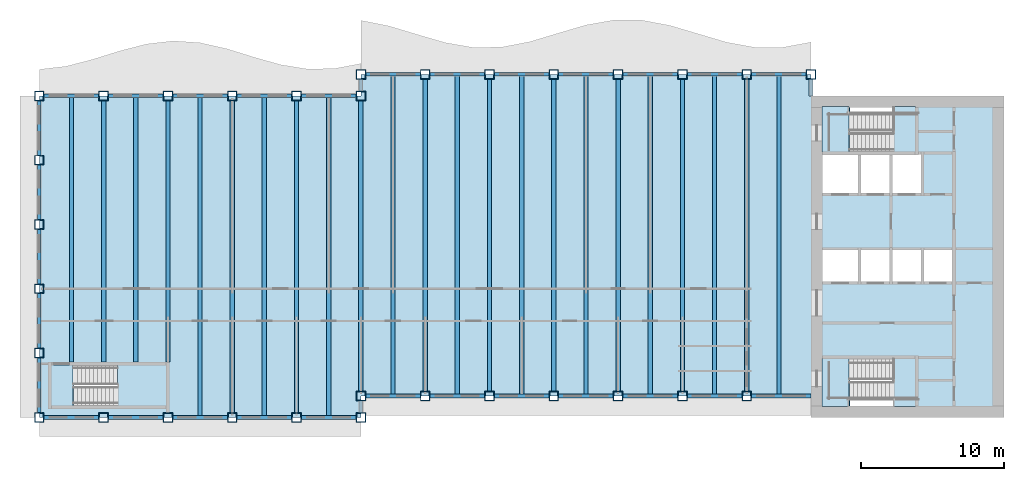
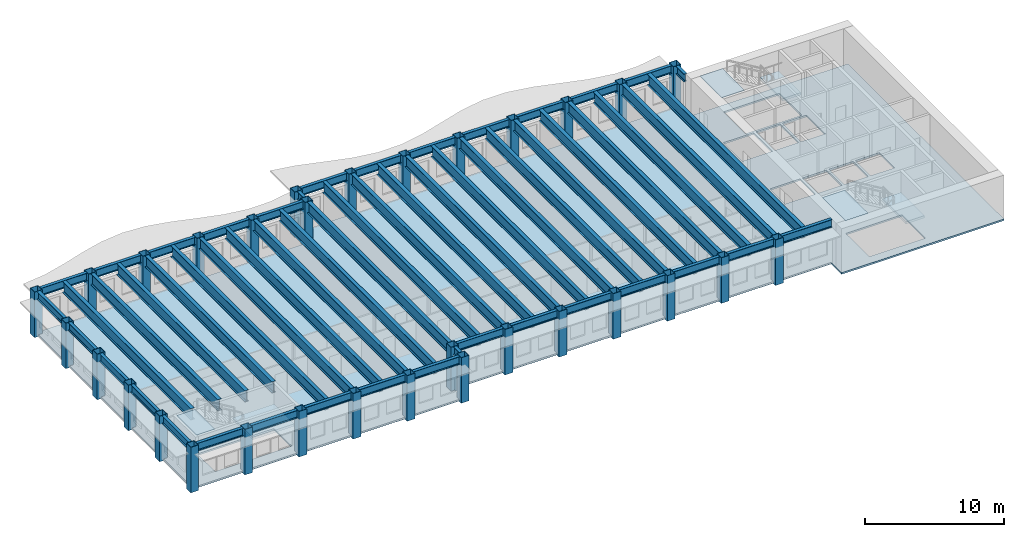
# One storey, part 1 of 12: 55 beams, 31 columns, 7 slabs, 3 elements without a shape of their own.
"""IFC4 building model written with IfcOpenShell, lengths in metres."""

from ifc_helpers import new_model, si_unit, direction, frame, origin, origin_2d, place, context, subcontext, project, spatial, polyline, hollow_rectangle, i_section, outline, extrude, material, layer, layer_set, material_profile, profile_set, type_object, element, aggregate, save


model = new_model("IFC4")

# Units and contexts
model_context = context("Model", 3, precision=1e-05, world=origin(), true_north=direction((0.0, 1.0)))
body_context = subcontext(model_context, "Body", "Model", "MODEL_VIEW")
ifc_project = project(units=[si_unit("LENGTHUNIT", "METRE"), si_unit("AREAUNIT", "SQUARE_METRE"), si_unit("VOLUMEUNIT", "CUBIC_METRE"), si_unit("PLANEANGLEUNIT", "RADIAN"), si_unit("MASSUNIT", "GRAM", prefix="KILO")], contexts=[model_context])

# Site, building, storey
site_placement = place(None, origin())
site = spatial("IfcSite", under=ifc_project, at=site_placement, CompositionType="ELEMENT")
building_placement = place(site_placement, origin())
building = spatial("IfcBuilding", under=site, at=building_placement, Name="Sennacour Bend Tower", CompositionType="ELEMENT")
storey_placement = place(building_placement, frame((0.0, 0.0, 273.0)))
storey = spatial("IfcBuildingStorey", under=building, at=storey_placement, Name="L63", CompositionType="ELEMENT", Elevation=273.0)

# Columns
ifc_material_1 = material(Name="Steel ASTM A572 Grade 50", Category="steel")
ifc_material_profile_1 = material_profile(ifc_material_1, hollow_rectangle(XDim=0.64990234375, YDim=0.64990234375, WallThickness=0.031982421875, at=origin_2d()), Name="Steel ASTM A572 Grade 50", Category="steel")
ifc_profile_set_1 = profile_set([ifc_material_profile_1], Name="Steel ASTM A572 Grade 50")
column_type = type_object("IfcColumnType", Name="Box column 650", PredefinedType="COLUMN", material=ifc_profile_set_1)
for number, where, z_axis, x_axis, name in (
    (1, (0.0, 0.0, -0.14990234375), (0.0, 0.0, 1.0), (1.0, 0.0, 0.0), "Perimeter column C5 L63-001"),
    (2, (0.0, 4.5, -0.14990234375), (0.0, 0.0, 1.0), (1.0, 0.0, 0.0), "Perimeter column C5 L63-002"),
    (3, (0.0, 9.0, -0.14990234375), (0.0, 0.0, 1.0), (1.0, 0.0, 0.0), "Perimeter column C5 L63-003"),
    (4, (0.0, 13.5, -0.14990234375), (0.0, 0.0, 1.0), (1.0, 0.0, 0.0), "Perimeter column C5 L63-004"),
    (5, (0.0, 18.0, -0.14990234375), (0.0, 0.0, 1.0), (1.0, 0.0, 0.0), "Perimeter column C5 L63-005"),
    (6, (0.0, 22.5, -0.14990234375), (0.0, 0.0, 1.0), (1.0, 0.0, 0.0), "Perimeter column C5 L63-006"),
    (7, (4.5, 0.0, -0.14990234375), (0.0, 0.0, 1.0), (1.0, 0.0, 0.0), "Perimeter column C5 L63-007"),
    (8, (4.5, 22.5, -0.14990234375), (0.0, 0.0, 1.0), (1.0, 0.0, 0.0), "Perimeter column C5 L63-008"),
    (9, (9.0, 0.0, -0.14990234375), (0.0, 0.0, 1.0), (1.0, 0.0, 0.0), "Perimeter column C5 L63-009"),
    (10, (9.0, 22.5, -0.14990234375), (0.0, 0.0, 1.0), (1.0, 0.0, 0.0), "Perimeter column C5 L63-010"),
    (11, (13.5, 0.0, -0.14990234375), (0.0, 0.0, 1.0), (1.0, 0.0, 0.0), "Perimeter column C5 L63-011"),
    (12, (13.5, 22.5, -0.14990234375), (0.0, 0.0, 1.0), (1.0, 0.0, 0.0), "Perimeter column C5 L63-012"),
    (13, (18.0, 0.0, -0.14990234375), (0.0, 0.0, 1.0), (1.0, 0.0, 0.0), "Perimeter column C5 L63-013"),
    (14, (18.0, 22.5, -0.14990234375), (0.0, 0.0, 1.0), (1.0, 0.0, 0.0), "Perimeter column C5 L63-014"),
    (15, (22.5, 0.0, -0.14990234375), (0.0, 0.0, 1.0), (1.0, 0.0, 0.0), "Perimeter column C5 L63-015"),
    (16, (22.5, 1.5, -0.14990234375), (0.0, 0.0, 1.0), (1.0, 0.0, 0.0), "Perimeter column C5 L63-016"),
    (17, (22.5, 22.5, -0.14990234375), (0.0, 0.0, 1.0), (1.0, 0.0, 0.0), "Perimeter column C5 L63-017"),
    (18, (22.5, 24.0, -0.14990234375), (0.0, 0.0, 1.0), (1.0, 0.0, 0.0), "Perimeter column C5 L63-018"),
    (19, (27.0, 1.5, -0.14990234375), (0.0, 0.0, 1.0), (1.0, 0.0, 0.0), "Perimeter column C5 L63-019"),
    (20, (27.0, 24.0, -0.14990234375), (0.0, 0.0, 1.0), (1.0, 0.0, 0.0), "Perimeter column C5 L63-020"),
    (21, (31.5, 1.5, -0.14990234375), (0.0, 0.0, 1.0), (1.0, 0.0, 0.0), "Perimeter column C5 L63-021"),
    (22, (31.5, 24.0, -0.14990234375), (0.0, 0.0, 1.0), (1.0, 0.0, 0.0), "Perimeter column C5 L63-022"),
    (23, (36.0, 1.5, -0.14990234375), (0.0, 0.0, 1.0), (1.0, 0.0, 0.0), "Perimeter column C5 L63-023"),
    (24, (36.0, 24.0, -0.14990234375), (0.0, 0.0, 1.0), (1.0, 0.0, 0.0), "Perimeter column C5 L63-024"),
    (25, (40.5, 1.5, -0.14990234375), (0.0, 0.0, 1.0), (1.0, 0.0, 0.0), "Perimeter column C5 L63-025"),
    (26, (40.5, 24.0, -0.14990234375), (0.0, 0.0, 1.0), (1.0, 0.0, 0.0), "Perimeter column C5 L63-026"),
    (27, (45.0, 1.5, -0.14990234375), (0.0, 0.0, 1.0), (1.0, 0.0, 0.0), "Perimeter column C5 L63-027"),
    (28, (45.0, 24.0, -0.14990234375), (0.0, 0.0, 1.0), (1.0, 0.0, 0.0), "Perimeter column C5 L63-028"),
    (29, (49.5, 1.5, -0.14990234375), (0.0, 0.0, 1.0), (1.0, 0.0, 0.0), "Perimeter column C5 L63-029"),
    (30, (49.5, 24.0, -0.14990234375), (0.0, 0.0, 1.0), (1.0, 0.0, 0.0), "Perimeter column C5 L63-030"),
    (31, (54.0, 24.0, -0.14990234375), (0.0, 0.0, 1.0), (1.0, 0.0, 0.0), "Perimeter column C5 L63-031"),
):
    element("IfcColumn", number, at=place(storey_placement, frame(where, z_axis=z_axis, x_axis=x_axis)), inside=storey, type_object=column_type, Name=name, PredefinedType="COLUMN", context=body_context, shape_type="SweptSolid", body=[
        extrude(hollow_rectangle(XDim=0.64990234375, YDim=0.64990234375, WallThickness=0.031982421875, at=origin_2d()), origin(), (0.0, 0.0, 1.0), 4.0),
    ])

# Beams
ifc_material_2 = material(Name="Steel ASTM A992 Grade 50", Category="steel")
ifc_material_profile_2 = material_profile(ifc_material_2, i_section(OverallWidth=0.300048828125, OverallDepth=0.97998046875, WebThickness=0.0166015625, FlangeThickness=0.026123046875, FilletRadius=0.02978515625, at=origin_2d()), Name="Steel ASTM A992 Grade 50", Category="steel")
ifc_profile_set_2 = profile_set([ifc_material_profile_2], Name="Steel ASTM A992 Grade 50")
beam_type_1 = type_object("IfcBeamType", Name="Floor beam W1000X249", PredefinedType="BEAM", material=ifc_profile_set_2)
beam_1_placement = place(storey_placement, frame((2.25, 3.875, 3.360107421875), z_axis=(0.0, 1.0, 0.0), x_axis=(-1.0, 0.0, 0.0)))
element("IfcBeam", 32, at=beam_1_placement, inside=storey, type_object=beam_type_1, Name="Floor beam FBM2 L64-001", PredefinedType="BEAM", context=body_context, shape_type="SweptSolid", body=[
    extrude(i_section(OverallWidth=0.300048828125, OverallDepth=0.97998046875, WebThickness=0.0166015625, FlangeThickness=0.026123046875, FilletRadius=0.02978515625, at=origin_2d()), origin(), (0.0, 0.0, 1.0), 18.498046875),
])
beam_2_placement = place(storey_placement, frame((4.5, 3.875, 3.360107421875), z_axis=(0.0, 1.0, 0.0), x_axis=(-1.0, 0.0, 0.0)))
element("IfcBeam", 33, at=beam_2_placement, inside=storey, type_object=beam_type_1, Name="Floor beam FBM2 L64-002", PredefinedType="BEAM", context=body_context, shape_type="SweptSolid", body=[
    extrude(i_section(OverallWidth=0.300048828125, OverallDepth=0.97998046875, WebThickness=0.0166015625, FlangeThickness=0.026123046875, FilletRadius=0.02978515625, at=origin_2d()), origin(), (0.0, 0.0, 1.0), 18.300048828125),
])
beam_3_placement = place(storey_placement, frame((6.75, 3.875, 3.360107421875), z_axis=(0.0, 1.0, 0.0), x_axis=(-1.0, 0.0, 0.0)))
element("IfcBeam", 34, at=beam_3_placement, inside=storey, type_object=beam_type_1, Name="Floor beam FBM2 L64-003", PredefinedType="BEAM", context=body_context, shape_type="SweptSolid", body=[
    extrude(i_section(OverallWidth=0.300048828125, OverallDepth=0.97998046875, WebThickness=0.0166015625, FlangeThickness=0.026123046875, FilletRadius=0.02978515625, at=origin_2d()), origin(), (0.0, 0.0, 1.0), 18.498046875),
])
beam_4_placement = place(storey_placement, frame((9.0, 3.875, 3.360107421875), z_axis=(0.0, 1.0, 0.0), x_axis=(-1.0, 0.0, 0.0)))
element("IfcBeam", 35, at=beam_4_placement, inside=storey, type_object=beam_type_1, Name="Floor beam FBM2 L64-004", PredefinedType="BEAM", context=body_context, shape_type="SweptSolid", body=[
    extrude(i_section(OverallWidth=0.300048828125, OverallDepth=0.97998046875, WebThickness=0.0166015625, FlangeThickness=0.026123046875, FilletRadius=0.02978515625, at=origin_2d()), origin(), (0.0, 0.0, 1.0), 18.300048828125),
])
beam_5_placement = place(storey_placement, frame((11.25, 0.126953125, 3.360107421875), z_axis=(0.0, 1.0, 0.0), x_axis=(-1.0, 0.0, 0.0)))
element("IfcBeam", 36, at=beam_5_placement, inside=storey, type_object=beam_type_1, Name="Floor beam FBM2 L64-005", PredefinedType="BEAM", context=body_context, shape_type="SweptSolid", body=[
    extrude(i_section(OverallWidth=0.300048828125, OverallDepth=0.97998046875, WebThickness=0.0166015625, FlangeThickness=0.026123046875, FilletRadius=0.02978515625, at=origin_2d()), origin(), (0.0, 0.0, 1.0), 22.24609375),
])
beam_6_placement = place(storey_placement, frame((13.5, 0.324951171875, 3.360107421875), z_axis=(0.0, 1.0, 0.0), x_axis=(-1.0, 0.0, 0.0)))
element("IfcBeam", 37, at=beam_6_placement, inside=storey, type_object=beam_type_1, Name="Floor beam FBM2 L64-006", PredefinedType="BEAM", context=body_context, shape_type="SweptSolid", body=[
    extrude(i_section(OverallWidth=0.300048828125, OverallDepth=0.97998046875, WebThickness=0.0166015625, FlangeThickness=0.026123046875, FilletRadius=0.02978515625, at=origin_2d()), origin(), (0.0, 0.0, 1.0), 21.85009765625),
])
beam_7_placement = place(storey_placement, frame((15.75, 0.126953125, 3.360107421875), z_axis=(0.0, 1.0, 0.0), x_axis=(-1.0, 0.0, 0.0)))
element("IfcBeam", 38, at=beam_7_placement, inside=storey, type_object=beam_type_1, Name="Floor beam FBM2 L64-007", PredefinedType="BEAM", context=body_context, shape_type="SweptSolid", body=[
    extrude(i_section(OverallWidth=0.300048828125, OverallDepth=0.97998046875, WebThickness=0.0166015625, FlangeThickness=0.026123046875, FilletRadius=0.02978515625, at=origin_2d()), origin(), (0.0, 0.0, 1.0), 22.24609375),
])
beam_8_placement = place(storey_placement, frame((18.0, 0.324951171875, 3.360107421875), z_axis=(0.0, 1.0, 0.0), x_axis=(-1.0, 0.0, 0.0)))
element("IfcBeam", 39, at=beam_8_placement, inside=storey, type_object=beam_type_1, Name="Floor beam FBM2 L64-008", PredefinedType="BEAM", context=body_context, shape_type="SweptSolid", body=[
    extrude(i_section(OverallWidth=0.300048828125, OverallDepth=0.97998046875, WebThickness=0.0166015625, FlangeThickness=0.026123046875, FilletRadius=0.02978515625, at=origin_2d()), origin(), (0.0, 0.0, 1.0), 21.85009765625),
])
beam_9_placement = place(storey_placement, frame((20.25, 0.126953125, 3.360107421875), z_axis=(0.0, 1.0, 0.0), x_axis=(-1.0, 0.0, 0.0)))
element("IfcBeam", 40, at=beam_9_placement, inside=storey, type_object=beam_type_1, Name="Floor beam FBM2 L64-009", PredefinedType="BEAM", context=body_context, shape_type="SweptSolid", body=[
    extrude(i_section(OverallWidth=0.300048828125, OverallDepth=0.97998046875, WebThickness=0.0166015625, FlangeThickness=0.026123046875, FilletRadius=0.02978515625, at=origin_2d()), origin(), (0.0, 0.0, 1.0), 22.24609375),
])
beam_10_placement = place(storey_placement, frame((22.5, 1.824951171875, 3.360107421875), z_axis=(0.0, 1.0, 0.0), x_axis=(-1.0, 0.0, 0.0)))
element("IfcBeam", 41, at=beam_10_placement, inside=storey, type_object=beam_type_1, Name="Floor beam FBM2 L64-010", PredefinedType="BEAM", context=body_context, shape_type="SweptSolid", body=[
    extrude(i_section(OverallWidth=0.300048828125, OverallDepth=0.97998046875, WebThickness=0.0166015625, FlangeThickness=0.026123046875, FilletRadius=0.02978515625, at=origin_2d()), origin(), (0.0, 0.0, 1.0), 20.35009765625),
])
beam_11_placement = place(storey_placement, frame((24.75, 1.626953125, 3.360107421875), z_axis=(0.0, 1.0, 0.0), x_axis=(-1.0, 0.0, 0.0)))
element("IfcBeam", 42, at=beam_11_placement, inside=storey, type_object=beam_type_1, Name="Floor beam FBM2 L64-011", PredefinedType="BEAM", context=body_context, shape_type="SweptSolid", body=[
    extrude(i_section(OverallWidth=0.300048828125, OverallDepth=0.97998046875, WebThickness=0.0166015625, FlangeThickness=0.026123046875, FilletRadius=0.02978515625, at=origin_2d()), origin(), (0.0, 0.0, 1.0), 22.24609375),
])
beam_12_placement = place(storey_placement, frame((27.0, 1.824951171875, 3.360107421875), z_axis=(0.0, 1.0, 0.0), x_axis=(-1.0, 0.0, 0.0)))
element("IfcBeam", 43, at=beam_12_placement, inside=storey, type_object=beam_type_1, Name="Floor beam FBM2 L64-012", PredefinedType="BEAM", context=body_context, shape_type="SweptSolid", body=[
    extrude(i_section(OverallWidth=0.300048828125, OverallDepth=0.97998046875, WebThickness=0.0166015625, FlangeThickness=0.026123046875, FilletRadius=0.02978515625, at=origin_2d()), origin(), (0.0, 0.0, 1.0), 21.85009765625),
])
beam_13_placement = place(storey_placement, frame((29.25, 1.626953125, 3.360107421875), z_axis=(0.0, 1.0, 0.0), x_axis=(-1.0, 0.0, 0.0)))
element("IfcBeam", 44, at=beam_13_placement, inside=storey, type_object=beam_type_1, Name="Floor beam FBM2 L64-013", PredefinedType="BEAM", context=body_context, shape_type="SweptSolid", body=[
    extrude(i_section(OverallWidth=0.300048828125, OverallDepth=0.97998046875, WebThickness=0.0166015625, FlangeThickness=0.026123046875, FilletRadius=0.02978515625, at=origin_2d()), origin(), (0.0, 0.0, 1.0), 22.24609375),
])
beam_14_placement = place(storey_placement, frame((31.5, 1.824951171875, 3.360107421875), z_axis=(0.0, 1.0, 0.0), x_axis=(-1.0, 0.0, 0.0)))
element("IfcBeam", 45, at=beam_14_placement, inside=storey, type_object=beam_type_1, Name="Floor beam FBM2 L64-014", PredefinedType="BEAM", context=body_context, shape_type="SweptSolid", body=[
    extrude(i_section(OverallWidth=0.300048828125, OverallDepth=0.97998046875, WebThickness=0.0166015625, FlangeThickness=0.026123046875, FilletRadius=0.02978515625, at=origin_2d()), origin(), (0.0, 0.0, 1.0), 21.85009765625),
])
beam_15_placement = place(storey_placement, frame((33.75, 1.626953125, 3.360107421875), z_axis=(0.0, 1.0, 0.0), x_axis=(-1.0, 0.0, 0.0)))
element("IfcBeam", 46, at=beam_15_placement, inside=storey, type_object=beam_type_1, Name="Floor beam FBM2 L64-015", PredefinedType="BEAM", context=body_context, shape_type="SweptSolid", body=[
    extrude(i_section(OverallWidth=0.300048828125, OverallDepth=0.97998046875, WebThickness=0.0166015625, FlangeThickness=0.026123046875, FilletRadius=0.02978515625, at=origin_2d()), origin(), (0.0, 0.0, 1.0), 22.24609375),
])
beam_16_placement = place(storey_placement, frame((36.0, 1.824951171875, 3.360107421875), z_axis=(0.0, 1.0, 0.0), x_axis=(-1.0, 0.0, 0.0)))
element("IfcBeam", 47, at=beam_16_placement, inside=storey, type_object=beam_type_1, Name="Floor beam FBM2 L64-016", PredefinedType="BEAM", context=body_context, shape_type="SweptSolid", body=[
    extrude(i_section(OverallWidth=0.300048828125, OverallDepth=0.97998046875, WebThickness=0.0166015625, FlangeThickness=0.026123046875, FilletRadius=0.02978515625, at=origin_2d()), origin(), (0.0, 0.0, 1.0), 21.85009765625),
])
beam_17_placement = place(storey_placement, frame((38.25, 1.626953125, 3.360107421875), z_axis=(0.0, 1.0, 0.0), x_axis=(-1.0, 0.0, 0.0)))
element("IfcBeam", 48, at=beam_17_placement, inside=storey, type_object=beam_type_1, Name="Floor beam FBM2 L64-017", PredefinedType="BEAM", context=body_context, shape_type="SweptSolid", body=[
    extrude(i_section(OverallWidth=0.300048828125, OverallDepth=0.97998046875, WebThickness=0.0166015625, FlangeThickness=0.026123046875, FilletRadius=0.02978515625, at=origin_2d()), origin(), (0.0, 0.0, 1.0), 22.24609375),
])
beam_18_placement = place(storey_placement, frame((40.5, 1.824951171875, 3.360107421875), z_axis=(0.0, 1.0, 0.0), x_axis=(-1.0, 0.0, 0.0)))
element("IfcBeam", 49, at=beam_18_placement, inside=storey, type_object=beam_type_1, Name="Floor beam FBM2 L64-018", PredefinedType="BEAM", context=body_context, shape_type="SweptSolid", body=[
    extrude(i_section(OverallWidth=0.300048828125, OverallDepth=0.97998046875, WebThickness=0.0166015625, FlangeThickness=0.026123046875, FilletRadius=0.02978515625, at=origin_2d()), origin(), (0.0, 0.0, 1.0), 21.85009765625),
])
beam_19_placement = place(storey_placement, frame((42.75, 1.626953125, 3.360107421875), z_axis=(0.0, 1.0, 0.0), x_axis=(-1.0, 0.0, 0.0)))
element("IfcBeam", 50, at=beam_19_placement, inside=storey, type_object=beam_type_1, Name="Floor beam FBM2 L64-019", PredefinedType="BEAM", context=body_context, shape_type="SweptSolid", body=[
    extrude(i_section(OverallWidth=0.300048828125, OverallDepth=0.97998046875, WebThickness=0.0166015625, FlangeThickness=0.026123046875, FilletRadius=0.02978515625, at=origin_2d()), origin(), (0.0, 0.0, 1.0), 22.24609375),
])
beam_20_placement = place(storey_placement, frame((45.0, 1.824951171875, 3.360107421875), z_axis=(0.0, 1.0, 0.0), x_axis=(-1.0, 0.0, 0.0)))
element("IfcBeam", 51, at=beam_20_placement, inside=storey, type_object=beam_type_1, Name="Floor beam FBM2 L64-020", PredefinedType="BEAM", context=body_context, shape_type="SweptSolid", body=[
    extrude(i_section(OverallWidth=0.300048828125, OverallDepth=0.97998046875, WebThickness=0.0166015625, FlangeThickness=0.026123046875, FilletRadius=0.02978515625, at=origin_2d()), origin(), (0.0, 0.0, 1.0), 21.85009765625),
])
beam_21_placement = place(storey_placement, frame((47.25, 1.626953125, 3.360107421875), z_axis=(0.0, 1.0, 0.0), x_axis=(-1.0, 0.0, 0.0)))
element("IfcBeam", 52, at=beam_21_placement, inside=storey, type_object=beam_type_1, Name="Floor beam FBM2 L64-021", PredefinedType="BEAM", context=body_context, shape_type="SweptSolid", body=[
    extrude(i_section(OverallWidth=0.300048828125, OverallDepth=0.97998046875, WebThickness=0.0166015625, FlangeThickness=0.026123046875, FilletRadius=0.02978515625, at=origin_2d()), origin(), (0.0, 0.0, 1.0), 22.24609375),
])
beam_22_placement = place(storey_placement, frame((49.5, 1.824951171875, 3.360107421875), z_axis=(0.0, 1.0, 0.0), x_axis=(-1.0, 0.0, 0.0)))
element("IfcBeam", 53, at=beam_22_placement, inside=storey, type_object=beam_type_1, Name="Floor beam FBM2 L64-022", PredefinedType="BEAM", context=body_context, shape_type="SweptSolid", body=[
    extrude(i_section(OverallWidth=0.300048828125, OverallDepth=0.97998046875, WebThickness=0.0166015625, FlangeThickness=0.026123046875, FilletRadius=0.02978515625, at=origin_2d()), origin(), (0.0, 0.0, 1.0), 21.85009765625),
])
beam_23_placement = place(storey_placement, frame((51.75, 1.626953125, 3.360107421875), z_axis=(0.0, 1.0, 0.0), x_axis=(-1.0, 0.0, 0.0)))
element("IfcBeam", 54, at=beam_23_placement, inside=storey, type_object=beam_type_1, Name="Floor beam FBM2 L64-023", PredefinedType="BEAM", context=body_context, shape_type="SweptSolid", body=[
    extrude(i_section(OverallWidth=0.300048828125, OverallDepth=0.97998046875, WebThickness=0.0166015625, FlangeThickness=0.026123046875, FilletRadius=0.02978515625, at=origin_2d()), origin(), (0.0, 0.0, 1.0), 22.24609375),
])
ifc_material_profile_3 = material_profile(ifc_material_2, i_section(OverallWidth=0.25390625, OverallDepth=0.68798828125, WebThickness=0.01318359375, FlangeThickness=0.02099609375, FilletRadius=0.01513671875, at=origin_2d()), Name="Steel ASTM A992 Grade 50", Category="steel")
ifc_profile_set_3 = profile_set([ifc_material_profile_3], Name="Steel ASTM A992 Grade 50")
beam_type_2 = type_object("IfcBeamType", Name="Spandrel beam W690X152", PredefinedType="SPANDREL", material=ifc_profile_set_3)
for number, where, z_axis, x_axis, name in (
    (55, (22.175048828125, 0.0, 3.506103515625), (-1.0, 0.0, 0.0), (0.0, -1.0, 0.0), "Spandrel beam SP6 L64-001"),
    (56, (17.675048828125, 0.0, 3.506103515625), (-1.0, 0.0, 0.0), (0.0, -1.0, 0.0), "Spandrel beam SP6 L64-002"),
    (57, (13.175048828125, 0.0, 3.506103515625), (-1.0, 0.0, 0.0), (0.0, -1.0, 0.0), "Spandrel beam SP6 L64-003"),
    (58, (8.675048828125, 0.0, 3.506103515625), (-1.0, 0.0, 0.0), (0.0, -1.0, 0.0), "Spandrel beam SP6 L64-004"),
    (59, (4.175048828125, 0.0, 3.506103515625), (-1.0, 0.0, 0.0), (0.0, -1.0, 0.0), "Spandrel beam SP6 L64-005"),
    (60, (0.0, 0.324951171875, 3.506103515625), (0.0, 1.0, 0.0), (-1.0, 0.0, 0.0), "Spandrel beam SP6 L64-006"),
    (61, (0.0, 4.824951171875, 3.506103515625), (0.0, 1.0, 0.0), (-1.0, 0.0, 0.0), "Spandrel beam SP6 L64-007"),
    (62, (0.0, 9.324951171875, 3.506103515625), (0.0, 1.0, 0.0), (-1.0, 0.0, 0.0), "Spandrel beam SP6 L64-008"),
    (63, (0.0, 13.824951171875, 3.506103515625), (0.0, 1.0, 0.0), (-1.0, 0.0, 0.0), "Spandrel beam SP6 L64-009"),
    (64, (0.0, 18.324951171875, 3.506103515625), (0.0, 1.0, 0.0), (-1.0, 0.0, 0.0), "Spandrel beam SP6 L64-010"),
    (65, (0.324951171875, 22.5, 3.506103515625), (1.0, 0.0, 0.0), (0.0, 1.0, 0.0), "Spandrel beam SP6 L64-011"),
    (66, (4.824951171875, 22.5, 3.506103515625), (1.0, 0.0, 0.0), (0.0, 1.0, 0.0), "Spandrel beam SP6 L64-012"),
    (67, (9.324951171875, 22.5, 3.506103515625), (1.0, 0.0, 0.0), (0.0, 1.0, 0.0), "Spandrel beam SP6 L64-013"),
    (68, (13.824951171875, 22.5, 3.506103515625), (1.0, 0.0, 0.0), (0.0, 1.0, 0.0), "Spandrel beam SP6 L64-014"),
    (69, (18.324951171875, 22.5, 3.506103515625), (1.0, 0.0, 0.0), (0.0, 1.0, 0.0), "Spandrel beam SP6 L64-015"),
):
    element("IfcBeam", number, at=place(storey_placement, frame(where, z_axis=z_axis, x_axis=x_axis)), inside=storey, type_object=beam_type_2, Name=name, PredefinedType="SPANDREL", context=body_context, shape_type="SweptSolid", body=[
        extrude(i_section(OverallWidth=0.25390625, OverallDepth=0.68798828125, WebThickness=0.01318359375, FlangeThickness=0.02099609375, FilletRadius=0.01513671875, at=origin_2d()), origin(), (0.0, 0.0, 1.0), 3.85009765625),
    ])
beam_24_placement = place(storey_placement, frame((22.5, 22.824951171875, 3.506103515625), z_axis=(0.0, 1.0, 0.0), x_axis=(-1.0, 0.0, 0.0)))
element("IfcBeam", 70, at=beam_24_placement, inside=storey, type_object=beam_type_2, Name="Spandrel beam SP6 L64-016", PredefinedType="SPANDREL", context=body_context, shape_type="SweptSolid", body=[
    extrude(i_section(OverallWidth=0.25390625, OverallDepth=0.68798828125, WebThickness=0.01318359375, FlangeThickness=0.02099609375, FilletRadius=0.01513671875, at=origin_2d()), origin(), (0.0, 0.0, 1.0), 0.85009765625),
])
for number, where, z_axis, x_axis, name in (
    (71, (22.824951171875, 24.0, 3.506103515625), (1.0, 0.0, 0.0), (0.0, 1.0, 0.0), "Spandrel beam SP6 L64-017"),
    (72, (27.324951171875, 24.0, 3.506103515625), (1.0, 0.0, 0.0), (0.0, 1.0, 0.0), "Spandrel beam SP6 L64-018"),
    (73, (31.824951171875, 24.0, 3.506103515625), (1.0, 0.0, 0.0), (0.0, 1.0, 0.0), "Spandrel beam SP6 L64-019"),
    (74, (36.324951171875, 24.0, 3.506103515625), (1.0, 0.0, 0.0), (0.0, 1.0, 0.0), "Spandrel beam SP6 L64-020"),
    (75, (40.824951171875, 24.0, 3.506103515625), (1.0, 0.0, 0.0), (0.0, 1.0, 0.0), "Spandrel beam SP6 L64-021"),
    (76, (45.324951171875, 24.0, 3.506103515625), (1.0, 0.0, 0.0), (0.0, 1.0, 0.0), "Spandrel beam SP6 L64-022"),
    (77, (49.824951171875, 24.0, 3.506103515625), (1.0, 0.0, 0.0), (0.0, 1.0, 0.0), "Spandrel beam SP6 L64-023"),
):
    element("IfcBeam", number, at=place(storey_placement, frame(where, z_axis=z_axis, x_axis=x_axis)), inside=storey, type_object=beam_type_2, Name=name, PredefinedType="SPANDREL", context=body_context, shape_type="SweptSolid", body=[
        extrude(i_section(OverallWidth=0.25390625, OverallDepth=0.68798828125, WebThickness=0.01318359375, FlangeThickness=0.02099609375, FilletRadius=0.01513671875, at=origin_2d()), origin(), (0.0, 0.0, 1.0), 3.85009765625),
    ])
beam_25_placement = place(storey_placement, frame((54.0, 23.675048828125, 3.506103515625), z_axis=(0.0, -1.0, 0.0), x_axis=(1.0, 0.0, 0.0)))
element("IfcBeam", 78, at=beam_25_placement, inside=storey, type_object=beam_type_2, Name="Spandrel beam SP6 L64-024", PredefinedType="SPANDREL", context=body_context, shape_type="SweptSolid", body=[
    extrude(i_section(OverallWidth=0.25390625, OverallDepth=0.68798828125, WebThickness=0.01318359375, FlangeThickness=0.02099609375, FilletRadius=0.01513671875, at=origin_2d()), origin(), (0.0, 0.0, 1.0), 1.175048828125),
])
beam_26_placement = place(storey_placement, frame((54.0, 1.5, 3.506103515625), z_axis=(-1.0, 0.0, 0.0), x_axis=(0.0, -1.0, 0.0)))
element("IfcBeam", 79, at=beam_26_placement, inside=storey, type_object=beam_type_2, Name="Spandrel beam SP6 L64-025", PredefinedType="SPANDREL", context=body_context, shape_type="SweptSolid", body=[
    extrude(i_section(OverallWidth=0.25390625, OverallDepth=0.68798828125, WebThickness=0.01318359375, FlangeThickness=0.02099609375, FilletRadius=0.01513671875, at=origin_2d()), origin(), (0.0, 0.0, 1.0), 4.175048828125),
])
for number, where, z_axis, x_axis, name in (
    (80, (49.175048828125, 1.5, 3.506103515625), (-1.0, 0.0, 0.0), (0.0, -1.0, 0.0), "Spandrel beam SP6 L64-026"),
    (81, (44.675048828125, 1.5, 3.506103515625), (-1.0, 0.0, 0.0), (0.0, -1.0, 0.0), "Spandrel beam SP6 L64-027"),
    (82, (40.175048828125, 1.5, 3.506103515625), (-1.0, 0.0, 0.0), (0.0, -1.0, 0.0), "Spandrel beam SP6 L64-028"),
    (83, (35.675048828125, 1.5, 3.506103515625), (-1.0, 0.0, 0.0), (0.0, -1.0, 0.0), "Spandrel beam SP6 L64-029"),
    (84, (31.175048828125, 1.5, 3.506103515625), (-1.0, 0.0, 0.0), (0.0, -1.0, 0.0), "Spandrel beam SP6 L64-030"),
    (85, (26.675048828125, 1.5, 3.506103515625), (-1.0, 0.0, 0.0), (0.0, -1.0, 0.0), "Spandrel beam SP6 L64-031"),
):
    element("IfcBeam", number, at=place(storey_placement, frame(where, z_axis=z_axis, x_axis=x_axis)), inside=storey, type_object=beam_type_2, Name=name, PredefinedType="SPANDREL", context=body_context, shape_type="SweptSolid", body=[
        extrude(i_section(OverallWidth=0.25390625, OverallDepth=0.68798828125, WebThickness=0.01318359375, FlangeThickness=0.02099609375, FilletRadius=0.01513671875, at=origin_2d()), origin(), (0.0, 0.0, 1.0), 3.85009765625),
    ])
beam_27_placement = place(storey_placement, frame((22.5, 1.175048828125, 3.506103515625), z_axis=(0.0, -1.0, 0.0), x_axis=(1.0, 0.0, 0.0)))
element("IfcBeam", 86, at=beam_27_placement, inside=storey, type_object=beam_type_2, Name="Spandrel beam SP6 L64-032", PredefinedType="SPANDREL", context=body_context, shape_type="SweptSolid", body=[
    extrude(i_section(OverallWidth=0.25390625, OverallDepth=0.68798828125, WebThickness=0.01318359375, FlangeThickness=0.02099609375, FilletRadius=0.01513671875, at=origin_2d()), origin(), (0.0, 0.0, 1.0), 0.85009765625),
])

# Slabs
ifc_material_3 = material(Name="Concrete C30/37", Category="concrete")
ifc_layer_1 = layer(ifc_material_3, 0.14990234375, Name="Concrete C30/37", Category="concrete")
ifc_layer_set_1 = layer_set([ifc_layer_1], Name="Concrete C30/37")
slab_type_1 = type_object("IfcSlabType", Name="Floor slab 150", PredefinedType="FLOOR", material=ifc_layer_set_1)
slab_1_placement = place(storey_placement, frame((0.0, 0.0, -0.14990234375)))
element("IfcSlab", 87, at=slab_1_placement, inside=storey, type_object=slab_type_1, Name="Floor slab L63-01", PredefinedType="FLOOR", context=body_context, shape_type="SweptSolid", body=[
    extrude(outline(polyline([(0.0, 0.0), (0.0, 22.5), (22.5, 22.5), (22.5, 24.0), (54.0, 24.0), (54.0, 22.5), (67.5, 22.5), (67.5, 0.0), (54.0, 0.0), (54.0, 1.5), (22.5, 1.5), (22.5, 0.0), (0.0, 0.0)]), holes=[polyline([(8.800048828125, 3.5), (2.429931640625, 3.5), (2.429931640625, 0.949951171875), (8.800048828125, 0.949951171875), (8.800048828125, 3.5)]), polyline([(61.39990234375, 4.125), (56.72998046875, 4.125), (56.72998046875, 0.75), (61.39990234375, 0.75), (61.39990234375, 4.125)]), polyline([(57.300048828125, 11.699951171875), (54.800048828125, 11.699951171875), (54.800048828125, 9.5), (57.300048828125, 9.5), (57.300048828125, 11.699951171875)]), polyline([(59.5, 9.5), (59.5, 11.699951171875), (57.5, 11.699951171875), (57.5, 9.5), (59.5, 9.5)]), polyline([(61.699951171875, 9.5), (61.699951171875, 11.699951171875), (59.699951171875, 11.699951171875), (59.699951171875, 9.5), (61.699951171875, 9.5)]), polyline([(63.89990234375, 11.699951171875), (61.89990234375, 11.699951171875), (61.89990234375, 9.5), (63.89990234375, 9.5), (63.89990234375, 11.699951171875)]), polyline([(57.300048828125, 18.39990234375), (54.800048828125, 18.39990234375), (54.800048828125, 15.699951171875), (57.300048828125, 15.699951171875), (57.300048828125, 18.39990234375)]), polyline([(59.5, 18.39990234375), (57.5, 18.39990234375), (57.5, 15.699951171875), (59.5, 15.699951171875), (59.5, 18.39990234375)]), polyline([(61.699951171875, 15.699951171875), (61.699951171875, 18.39990234375), (59.699951171875, 18.39990234375), (59.699951171875, 15.699951171875), (61.699951171875, 15.699951171875)]), polyline([(61.39990234375, 18.574951171875), (61.39990234375, 21.75), (56.72998046875, 21.75), (56.72998046875, 18.574951171875), (61.39990234375, 18.574951171875)])]), origin(), (0.0, 0.0, 1.0), 0.14990234375),
])
ifc_material_4 = material(Name="Concrete C40/50", Category="concrete")
ifc_layer_2 = layer(ifc_material_4, 0.034912109375, Name="Concrete C40/50", Category="concrete")
ifc_layer_set_2 = layer_set([ifc_layer_2], Name="Concrete C40/50")
slab_type_2 = type_object("IfcSlabType", Name="Stair arrival nib 35", PredefinedType="FLOOR", material=ifc_layer_set_2)
slab_2_placement = place(storey_placement, frame((0.0, 0.0, 3.815185546875)))
element("IfcSlab", 88, at=slab_2_placement, inside=storey, type_object=slab_type_2, Name="L63 SA1 stair arrival nib", PredefinedType="FLOOR", context=body_context, shape_type="SweptSolid", body=[
    extrude(outline(polyline([(56.64208984375, 4.125), (54.75, 4.125), (54.75, 0.75), (56.64208984375, 0.75), (56.64208984375, 4.125)])), origin(), (0.0, 0.0, 1.0), 0.034912109375),
])
slab_3_placement = place(storey_placement, frame((0.0, 0.0, 3.815185546875)))
element("IfcSlab", 89, at=slab_3_placement, inside=storey, type_object=slab_type_2, Name="L63 SA2 stair arrival nib", PredefinedType="FLOOR", context=body_context, shape_type="SweptSolid", body=[
    extrude(outline(polyline([(56.64208984375, 21.75), (54.75, 21.75), (54.75, 18.574951171875), (56.64208984375, 18.574951171875), (56.64208984375, 21.75)])), origin(), (0.0, 0.0, 1.0), 0.034912109375),
])
slab_4_placement = place(storey_placement, frame((0.0, 0.0, 3.815185546875)))
element("IfcSlab", 90, at=slab_4_placement, inside=storey, type_object=slab_type_2, Name="L63 SK1 stair arrival nib", PredefinedType="FLOOR", context=body_context, shape_type="SweptSolid", body=[
    extrude(outline(polyline([(2.342041015625, 3.675048828125), (0.800048828125, 3.675048828125), (0.800048828125, 0.800048828125), (2.342041015625, 0.800048828125), (2.342041015625, 3.675048828125)])), origin(), (0.0, 0.0, 1.0), 0.034912109375),
])

# Stair, slab
stair_type = type_object("IfcStairType", Name="ST-DOGLEG", PredefinedType="HALF_TURN_STAIR", material=ifc_material_4)
stair_1_placement = place(storey_placement, origin())
stair_1 = element("IfcStair", 91, at=stair_1_placement, inside=storey, type_object=stair_type, Name="L63 Exit stair A1", PredefinedType="HALF_TURN_STAIR")
ifc_layer_3 = layer(ifc_material_4, 0.199951171875, Name="Concrete C40/50", Category="concrete")
ifc_layer_set_3 = layer_set([ifc_layer_3], Name="Concrete C40/50")
slab_type_3 = type_object("IfcSlabType", Name="Stair landing 200", PredefinedType="LANDING", material=ifc_layer_set_3)
slab_5_placement = place(storey_placement, frame((0.0, 0.0, 1.800048828125)))
slab_5 = element("IfcSlab", 92, at=slab_5_placement, type_object=slab_type_3, Name="SA1 landing 1", PredefinedType="LANDING", context=body_context, shape_type="SweptSolid", body=[
    extrude(outline(polyline([(59.780029296875, 0.75), (61.324951171875, 0.75), (61.324951171875, 4.125), (59.780029296875, 4.125), (59.780029296875, 0.75)])), origin(), (0.0, 0.0, 1.0), 0.199951171875),
])
aggregate(stair_1, [slab_5])

stair_2_placement = place(storey_placement, origin())
stair_2 = element("IfcStair", 93, at=stair_2_placement, inside=storey, type_object=stair_type, Name="L63 Exit stair A2", PredefinedType="HALF_TURN_STAIR")
slab_6_placement = place(storey_placement, frame((0.0, 0.0, 1.800048828125)))
slab_6 = element("IfcSlab", 94, at=slab_6_placement, type_object=slab_type_3, Name="SA2 landing 1", PredefinedType="LANDING", context=body_context, shape_type="SweptSolid", body=[
    extrude(outline(polyline([(59.780029296875, 18.574951171875), (61.324951171875, 18.574951171875), (61.324951171875, 21.75), (59.780029296875, 21.75), (59.780029296875, 18.574951171875)])), origin(), (0.0, 0.0, 1.0), 0.199951171875),
])
aggregate(stair_2, [slab_6])

stair_3_placement = place(storey_placement, origin())
stair_3 = element("IfcStair", 95, at=stair_3_placement, inside=storey, type_object=stair_type, Name="L63 Exit stair K1", PredefinedType="HALF_TURN_STAIR")
slab_7_placement = place(storey_placement, frame((0.0, 0.0, 1.800048828125)))
slab_7 = element("IfcSlab", 96, at=slab_7_placement, type_object=slab_type_3, Name="SK1 landing 1", PredefinedType="LANDING", context=body_context, shape_type="SweptSolid", body=[
    extrude(outline(polyline([(5.47998046875, 0.800048828125), (8.925048828125, 0.800048828125), (8.925048828125, 3.675048828125), (5.47998046875, 3.675048828125), (5.47998046875, 0.800048828125)])), origin(), (0.0, 0.0, 1.0), 0.199951171875),
])
aggregate(stair_3, [slab_7])

save(model, "model.ifc")
